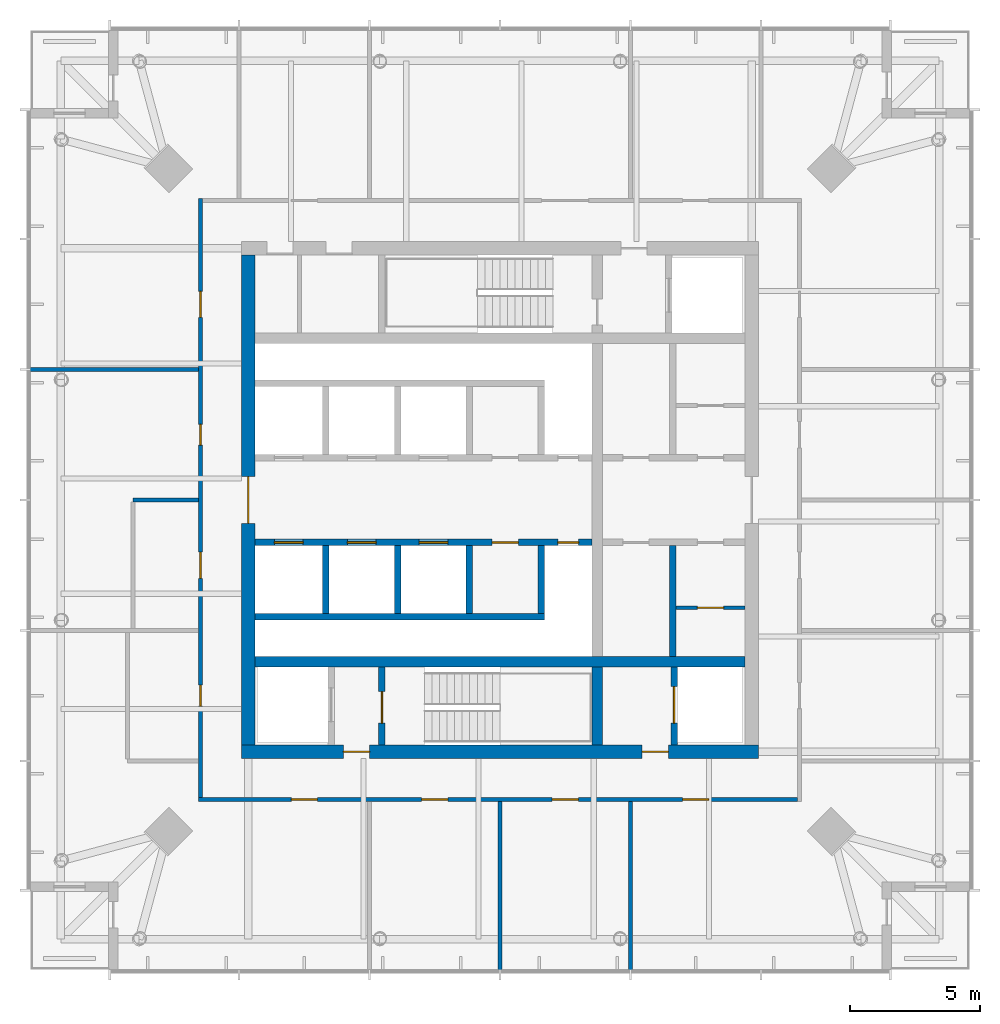
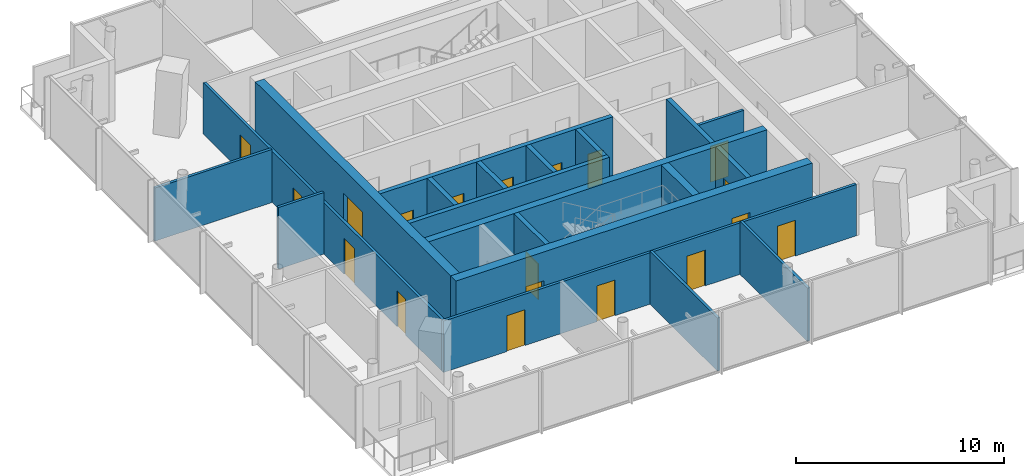
# One storey, part 4 of 7: 20 walls, 19 doors, 19 openings.
"""IFC4 building model written with IfcOpenShell, lengths in metres."""

from ifc_helpers import new_model, si_unit, direction, frame, frame_2d, origin, place, context, subcontext, project, spatial, rectangle, extrude, material, layer, layer_set, type_object, element, fill, save


model = new_model("IFC4")

# Units and contexts
model_context = context("Model", 3, precision=1e-05, world=origin(), true_north=direction((0.0, 1.0)))
body_context = subcontext(model_context, "Body", "Model", "MODEL_VIEW")
ifc_project = project(units=[si_unit("LENGTHUNIT", "METRE"), si_unit("AREAUNIT", "SQUARE_METRE"), si_unit("VOLUMEUNIT", "CUBIC_METRE"), si_unit("PLANEANGLEUNIT", "RADIAN"), si_unit("MASSUNIT", "GRAM", prefix="KILO")], contexts=[model_context])

# Site, building, storey
site_placement = place(None, origin())
site = spatial("IfcSite", under=ifc_project, at=site_placement, CompositionType="ELEMENT")
building_placement = place(site_placement, origin())
building = spatial("IfcBuilding", under=site, at=building_placement, Name="Ostroluk Exchange", CompositionType="ELEMENT")
storey_placement = place(building_placement, frame((0.0, 0.0, 245.199951171875)))
storey = spatial("IfcBuildingStorey", under=building, at=storey_placement, Name="L63", CompositionType="ELEMENT", Elevation=245.199951171875)

# Wall, opening, door
ifc_material_1 = material(Name="Concrete blockwork", Category="masonry")
ifc_layer_1 = layer(ifc_material_1, 0.14990234375)
ifc_layer_set_1 = layer_set([ifc_layer_1], Name="Blockwork plant room wall 150")
wall_type_1 = type_object("IfcWallType", Name="Blockwork plant room wall 150", PredefinedType="SOLIDWALL", material=ifc_layer_set_1)
wall_1_placement = place(storey_placement, frame((51.739990234375, 41.8701171875, 0.0), z_axis=(0.0, 0.0, 1.0), x_axis=(1.0, 0.0, 0.0)))
wall_1 = element("IfcWall", 1, at=wall_1_placement, inside=storey, type_object=wall_type_1, Name="Core room wall", PredefinedType="SOLIDWALL", context=body_context, shape_type="SweptSolid", body=[
    extrude(rectangle(XDim=2.659912109375, YDim=0.14990234375, at=frame_2d((1.330078125, 0.0))), origin(), (0.0, 0.0, 1.0), 3.6201171875),
])
opening_1_placement = place(wall_1_placement, frame((0.830078125, 0.0, 0.0)))
opening_1 = element("IfcOpeningElement", 2, at=opening_1_placement, cuts=wall_1, Name="Opening FD60", PredefinedType="OPENING", context=body_context, shape_type="SweptSolid", body=[
    extrude(rectangle(XDim=1.0, YDim=2.10009765625, at=frame_2d((0.5, 1.050048828125))), frame((0.0, 0.0849609375, 0.0), z_axis=(0.0, -1.0, 0.0), x_axis=(1.0, 0.0, 0.0)), (0.0, 0.0, 1.0), 0.169921875),
])
ifc_material_2 = material(Name="Steel", Category="steel")
door_type_1 = type_object("IfcDoorType", Name="Fire door EI 60 1000 x 2100", OperationType="SINGLE_SWING_LEFT", PredefinedType="DOOR", material=ifc_material_2)
door_1_placement = place(opening_1_placement, origin())
door_1 = element("IfcDoor", 3, at=door_1_placement, inside=storey, type_object=door_type_1, Name="Equipment store door", OperationType="SINGLE_SWING_RIGHT", OverallHeight=2.10009765625, OverallWidth=1.0, PredefinedType="DOOR", context=body_context, shape_type="SweptSolid", body=[
    extrude(rectangle(XDim=1.0, YDim=2.10009765625, at=frame_2d((0.5, 1.050048828125))), frame((0.0, 0.02490234375, 0.0), z_axis=(0.0, -1.0, 0.0), x_axis=(1.0, 0.0, 0.0)), (0.0, 0.0, 1.0), 0.050048828125),
])
fill(opening_1, door_1)

# Walls
ifc_material_3 = material(Name="Concrete C50/60", Category="concrete")
ifc_layer_2 = layer(ifc_material_3, 0.39990234375)
ifc_layer_set_2 = layer_set([ifc_layer_2], Name="Core cross wall 400 C50/60")
wall_type_2 = type_object("IfcWallType", Name="Core cross wall 400 C50/60", PredefinedType="SHEAR", material=ifc_layer_set_2)
wall_2_placement = place(storey_placement, frame((35.60009765625, 39.800048828125, 0.0), z_axis=(0.0, 0.0, 1.0), x_axis=(1.0, 0.0, 0.0)))
element("IfcWall", 4, at=wall_2_placement, inside=storey, type_object=wall_type_2, Name="T1 core wall XS", PredefinedType="SHEAR", context=body_context, shape_type="SweptSolid", body=[
    extrude(rectangle(XDim=18.7998046875, YDim=0.39990234375, at=frame_2d((9.39990234375, 0.0))), origin(), (0.0, 0.0, 1.0), 3.800048828125),
])
wall_3_placement = place(storey_placement, frame((48.72998046875, 36.60009765625, 0.0), z_axis=(0.0, 0.0, 1.0), x_axis=(0.0, 1.0, 0.0)))
element("IfcWall", 5, at=wall_3_placement, inside=storey, type_object=wall_type_2, Name="T1 core wall YE1", PredefinedType="SHEAR", context=body_context, shape_type="SweptSolid", body=[
    extrude(rectangle(XDim=3.0, YDim=0.39990234375, at=frame_2d((1.5, 0.0))), origin(), (0.0, 0.0, 1.0), 3.800048828125),
])

# Wall, opening, door
ifc_material_4 = material(Name="Concrete C40/50", Category="concrete")
ifc_layer_3 = layer(ifc_material_4, 0.25)
ifc_layer_set_3 = layer_set([ifc_layer_3], Name="Core shaft wall 250")
wall_type_3 = type_object("IfcWallType", Name="Core shaft wall 250", PredefinedType="SHEAR", material=ifc_layer_set_3)
wall_4_placement = place(storey_placement, frame((40.47509765625, 36.60009765625, 0.0), z_axis=(0.0, 0.0, 1.0), x_axis=(0.0, 1.0, 0.0)))
wall_4 = element("IfcWall", 6, at=wall_4_placement, inside=storey, type_object=wall_type_3, Name="Stair shaft wall", PredefinedType="SHEAR", context=body_context, shape_type="SweptSolid", body=[
    extrude(rectangle(XDim=3.0, YDim=0.25, at=frame_2d((1.5, 0.0))), origin(), (0.0, 0.0, 1.0), 3.800048828125),
])
opening_2_placement = place(wall_4_placement, frame((0.85009765625, 0.0, 0.0)))
opening_2 = element("IfcOpeningElement", 7, at=opening_2_placement, cuts=wall_4, Name="Opening FD60S", PredefinedType="OPENING", context=body_context, shape_type="SweptSolid", body=[
    extrude(rectangle(XDim=1.199951171875, YDim=2.10009765625, at=frame_2d((0.60009765625, 1.050048828125))), frame((0.0, 0.135009765625, 0.0), z_axis=(0.0, -1.0, 0.0), x_axis=(1.0, 0.0, 0.0)), (0.0, 0.0, 1.0), 0.27001953125),
])
ifc_material_5 = material(Name="Steel", Category="steel")
door_type_2 = type_object("IfcDoorType", Name="Stair door EI 60 1200 x 2100", OperationType="SINGLE_SWING_LEFT", PredefinedType="DOOR", material=ifc_material_5)
door_2_placement = place(opening_2_placement, origin())
door_2 = element("IfcDoor", 8, at=door_2_placement, inside=storey, type_object=door_type_2, Name="Stair T1-S1 door", OperationType="SINGLE_SWING_LEFT", OverallHeight=2.10009765625, OverallWidth=1.199951171875, PredefinedType="DOOR", context=body_context, shape_type="SweptSolid", body=[
    extrude(rectangle(XDim=1.199951171875, YDim=2.10009765625, at=frame_2d((0.60009765625, 1.050048828125))), frame((0.0, 0.02490234375, 0.0), z_axis=(0.0, -1.0, 0.0), x_axis=(1.0, 0.0, 0.0)), (0.0, 0.0, 1.0), 0.050048828125),
])
fill(opening_2, door_2)

wall_5_placement = place(storey_placement, frame((51.675048828125, 36.60009765625, 0.0), z_axis=(0.0, 0.0, 1.0), x_axis=(0.0, 1.0, 0.0)))
wall_5 = element("IfcWall", 9, at=wall_5_placement, inside=storey, type_object=wall_type_3, Name="Service lift shaft wall", PredefinedType="SHEAR", context=body_context, shape_type="SweptSolid", body=[
    extrude(rectangle(XDim=3.0, YDim=0.25, at=frame_2d((1.5, 0.0))), origin(), (0.0, 0.0, 1.0), 3.800048828125),
])
opening_3_placement = place(wall_5_placement, frame((0.85009765625, 0.0, 0.0)))
opening_3 = element("IfcOpeningElement", 10, at=opening_3_placement, cuts=wall_5, Name="Opening LD3", PredefinedType="OPENING", context=body_context, shape_type="SweptSolid", body=[
    extrude(rectangle(XDim=1.39990234375, YDim=2.39990234375, at=frame_2d((0.699951171875, 1.199951171875))), frame((0.0, 0.135009765625, 0.0), z_axis=(0.0, -1.0, 0.0), x_axis=(1.0, 0.0, 0.0)), (0.0, 0.0, 1.0), 0.27001953125),
])
ifc_material_6 = material(Name="Stainless steel", Category="steel")
door_type_3 = type_object("IfcDoorType", Name="Goods lift landing door E 60 1400 x 2400", OperationType="DOUBLE_DOOR_SLIDING", PredefinedType="DOOR", material=ifc_material_6)
door_3_placement = place(opening_3_placement, origin())
door_3 = element("IfcDoor", 11, at=door_3_placement, inside=storey, type_object=door_type_3, Name="Lift SL1 landing door", OperationType="DOUBLE_DOOR_SLIDING", OverallHeight=2.39990234375, OverallWidth=1.39990234375, PredefinedType="DOOR", context=body_context, shape_type="SweptSolid", body=[
    extrude(rectangle(XDim=1.39990234375, YDim=2.39990234375, at=frame_2d((0.699951171875, 1.199951171875))), frame((0.0, 0.02490234375, 0.0), z_axis=(0.0, -1.0, 0.0), x_axis=(1.0, 0.0, 0.0)), (0.0, 0.0, 1.0), 0.050048828125),
])
fill(opening_3, door_3)

# Walls
for number, where, z_axis, x_axis, name in (
    (12, (38.324951171875, 44.25, 0.0), (0.0, 0.0, 1.0), (0.0, -1.0, 0.0), "Lift shaft wall"),
    (13, (41.074951171875, 44.25, 0.0), (0.0, 0.0, 1.0), (0.0, -1.0, 0.0), "Lift shaft wall"),
    (14, (43.824951171875, 44.25, 0.0), (0.0, 0.0, 1.0), (0.0, -1.0, 0.0), "Lift shaft wall"),
    (15, (46.574951171875, 44.25, 0.0), (0.0, 0.0, 1.0), (0.0, -1.0, 0.0), "Lift shaft wall"),
):
    element("IfcWall", number, at=place(storey_placement, frame(where, z_axis=z_axis, x_axis=x_axis)), inside=storey, type_object=wall_type_3, Name=name, PredefinedType="SHEAR", context=body_context, shape_type="SweptSolid", body=[
        extrude(rectangle(XDim=2.60009765625, YDim=0.25, at=frame_2d((1.300048828125, 0.0))), origin(), (0.0, 0.0, 1.0), 3.800048828125),
    ])
wall_6_placement = place(storey_placement, frame((35.60009765625, 41.52490234375, 0.0), z_axis=(0.0, 0.0, 1.0), x_axis=(1.0, 0.0, 0.0)))
element("IfcWall", 16, at=wall_6_placement, inside=storey, type_object=wall_type_3, Name="Lift shaft wall", PredefinedType="SHEAR", context=body_context, shape_type="SweptSolid", body=[
    extrude(rectangle(XDim=11.099853515625, YDim=0.25, at=frame_2d((5.5498046875, 0.0))), origin(), (0.0, 0.0, 1.0), 3.800048828125),
])

# Wall, openings, doors
wall_7_placement = place(storey_placement, frame((35.60009765625, 44.375, 0.0), z_axis=(0.0, 0.0, 1.0), x_axis=(1.0, 0.0, 0.0)))
wall_7 = element("IfcWall", 17, at=wall_7_placement, inside=storey, type_object=wall_type_3, Name="Lift shaft front wall", PredefinedType="SHEAR", context=body_context, shape_type="SweptSolid", body=[
    extrude(rectangle(XDim=12.929931640625, YDim=0.25, at=frame_2d((6.46484375, 0.0))), origin(), (0.0, 0.0, 1.0), 3.800048828125),
])
opening_4_placement = place(wall_7_placement, frame((0.75, 0.0, 0.0)))
opening_4 = element("IfcOpeningElement", 18, at=opening_4_placement, cuts=wall_7, Name="Opening LD", PredefinedType="OPENING", context=body_context, shape_type="SweptSolid", body=[
    extrude(rectangle(XDim=1.10009765625, YDim=2.199951171875, at=frame_2d((0.550048828125, 1.10009765625))), frame((0.0, 0.135009765625, 0.0), z_axis=(0.0, -1.0, 0.0), x_axis=(1.0, 0.0, 0.0)), (0.0, 0.0, 1.0), 0.27001953125),
])
opening_5_placement = place(wall_7_placement, frame((3.550048828125, 0.0, 0.0)))
opening_5 = element("IfcOpeningElement", 19, at=opening_5_placement, cuts=wall_7, Name="Opening LD", PredefinedType="OPENING", context=body_context, shape_type="SweptSolid", body=[
    extrude(rectangle(XDim=1.10009765625, YDim=2.199951171875, at=frame_2d((0.550048828125, 1.10009765625))), frame((0.0, 0.135009765625, 0.0), z_axis=(0.0, -1.0, 0.0), x_axis=(1.0, 0.0, 0.0)), (0.0, 0.0, 1.0), 0.27001953125),
])
opening_6_placement = place(wall_7_placement, frame((6.300048828125, 0.0, 0.0)))
opening_6 = element("IfcOpeningElement", 20, at=opening_6_placement, cuts=wall_7, Name="Opening LD", PredefinedType="OPENING", context=body_context, shape_type="SweptSolid", body=[
    extrude(rectangle(XDim=1.10009765625, YDim=2.199951171875, at=frame_2d((0.550048828125, 1.10009765625))), frame((0.0, 0.135009765625, 0.0), z_axis=(0.0, -1.0, 0.0), x_axis=(1.0, 0.0, 0.0)), (0.0, 0.0, 1.0), 0.27001953125),
])
opening_7_placement = place(wall_7_placement, frame((9.10009765625, 0.0, 0.0)))
opening_7 = element("IfcOpeningElement", 21, at=opening_7_placement, cuts=wall_7, Name="Opening FD60", PredefinedType="OPENING", context=body_context, shape_type="SweptSolid", body=[
    extrude(rectangle(XDim=1.0, YDim=2.10009765625, at=frame_2d((0.5, 1.050048828125))), frame((0.0, 0.135009765625, 0.0), z_axis=(0.0, -1.0, 0.0), x_axis=(1.0, 0.0, 0.0)), (0.0, 0.0, 1.0), 0.27001953125),
])
opening_8_placement = place(wall_7_placement, frame((11.614990234375, 0.0, 0.0)))
opening_8 = element("IfcOpeningElement", 22, at=opening_8_placement, cuts=wall_7, Name="Opening RD60", PredefinedType="OPENING", context=body_context, shape_type="SweptSolid", body=[
    extrude(rectangle(XDim=0.800048828125, YDim=2.0, at=frame_2d((0.39990234375, 1.0))), frame((0.0, 0.135009765625, 0.0), z_axis=(0.0, -1.0, 0.0), x_axis=(1.0, 0.0, 0.0)), (0.0, 0.0, 1.0), 0.27001953125),
])
door_4_placement = place(opening_7_placement, origin())
door_4 = element("IfcDoor", 23, at=door_4_placement, inside=storey, type_object=door_type_1, Name="Core room door", OperationType="SINGLE_SWING_RIGHT", OverallHeight=2.10009765625, OverallWidth=1.0, PredefinedType="DOOR", context=body_context, shape_type="SweptSolid", body=[
    extrude(rectangle(XDim=1.0, YDim=2.10009765625, at=frame_2d((0.5, 1.050048828125))), frame((0.0, 0.02490234375, 0.0), z_axis=(0.0, -1.0, 0.0), x_axis=(1.0, 0.0, 0.0)), (0.0, 0.0, 1.0), 0.050048828125),
])
fill(opening_7, door_4)
ifc_material_7 = material(Name="Stainless steel", Category="steel")
door_type_4 = type_object("IfcDoorType", Name="Lift landing door E 60 1100 x 2200", OperationType="DOUBLE_DOOR_SLIDING", PredefinedType="DOOR", material=ifc_material_7)
door_5_placement = place(opening_4_placement, origin())
door_5 = element("IfcDoor", 24, at=door_5_placement, inside=storey, type_object=door_type_4, Name="Lift PL-T4 landing door", OperationType="DOUBLE_DOOR_SLIDING", OverallHeight=2.199951171875, OverallWidth=1.10009765625, PredefinedType="DOOR", context=body_context, shape_type="SweptSolid", body=[
    extrude(rectangle(XDim=1.10009765625, YDim=2.199951171875, at=frame_2d((0.550048828125, 1.10009765625))), frame((0.0, 0.02490234375, 0.0), z_axis=(0.0, -1.0, 0.0), x_axis=(1.0, 0.0, 0.0)), (0.0, 0.0, 1.0), 0.050048828125),
])
fill(opening_4, door_5)
door_6_placement = place(opening_5_placement, origin())
door_6 = element("IfcDoor", 25, at=door_6_placement, inside=storey, type_object=door_type_4, Name="Lift PL-T5 landing door", OperationType="DOUBLE_DOOR_SLIDING", OverallHeight=2.199951171875, OverallWidth=1.10009765625, PredefinedType="DOOR", context=body_context, shape_type="SweptSolid", body=[
    extrude(rectangle(XDim=1.10009765625, YDim=2.199951171875, at=frame_2d((0.550048828125, 1.10009765625))), frame((0.0, 0.02490234375, 0.0), z_axis=(0.0, -1.0, 0.0), x_axis=(1.0, 0.0, 0.0)), (0.0, 0.0, 1.0), 0.050048828125),
])
fill(opening_5, door_6)
door_7_placement = place(opening_6_placement, origin())
door_7 = element("IfcDoor", 26, at=door_7_placement, inside=storey, type_object=door_type_4, Name="Lift PL-T6 landing door", OperationType="DOUBLE_DOOR_SLIDING", OverallHeight=2.199951171875, OverallWidth=1.10009765625, PredefinedType="DOOR", context=body_context, shape_type="SweptSolid", body=[
    extrude(rectangle(XDim=1.10009765625, YDim=2.199951171875, at=frame_2d((0.550048828125, 1.10009765625))), frame((0.0, 0.02490234375, 0.0), z_axis=(0.0, -1.0, 0.0), x_axis=(1.0, 0.0, 0.0)), (0.0, 0.0, 1.0), 0.050048828125),
])
fill(opening_6, door_7)
ifc_material_8 = material(Name="Steel", Category="steel")
door_type_5 = type_object("IfcDoorType", Name="Riser access door EI 60 800 x 2000", OperationType="SINGLE_SWING_LEFT", PredefinedType="DOOR", material=ifc_material_8)
door_8_placement = place(opening_8_placement, origin())
door_8 = element("IfcDoor", 27, at=door_8_placement, inside=storey, type_object=door_type_5, Name="Riser access door", OperationType="SINGLE_SWING_RIGHT", OverallHeight=2.0, OverallWidth=0.800048828125, PredefinedType="DOOR", context=body_context, shape_type="SweptSolid", body=[
    extrude(rectangle(XDim=0.800048828125, YDim=2.0, at=frame_2d((0.39990234375, 1.0))), frame((0.0, 0.02490234375, 0.0), z_axis=(0.0, -1.0, 0.0), x_axis=(1.0, 0.0, 0.0)), (0.0, 0.0, 1.0), 0.050048828125),
])
fill(opening_8, door_8)

# Wall
wall_8_placement = place(storey_placement, frame((51.614990234375, 44.25, 0.0), z_axis=(0.0, 0.0, 1.0), x_axis=(0.0, -1.0, 0.0)))
element("IfcWall", 28, at=wall_8_placement, inside=storey, type_object=wall_type_3, Name="Lift shaft wall", PredefinedType="SHEAR", context=body_context, shape_type="SweptSolid", body=[
    extrude(rectangle(XDim=4.25, YDim=0.25, at=frame_2d((2.125, 0.0))), origin(), (0.0, 0.0, 1.0), 3.800048828125),
])

# Wall, openings, doors
ifc_material_9 = material(Name="Concrete C50/60", Category="concrete")
ifc_layer_4 = layer(ifc_material_9, 0.5)
ifc_layer_set_4 = layer_set([ifc_layer_4], Name="Core wall 500 C50/60")
wall_type_4 = type_object("IfcWallType", Name="Core wall 500 C50/60", PredefinedType="SHEAR", material=ifc_layer_set_4)
wall_9_placement = place(storey_placement, frame((35.10009765625, 36.35009765625, 0.0), z_axis=(0.0, 0.0, 1.0), x_axis=(1.0, 0.0, 0.0)))
wall_9 = element("IfcWall", 29, at=wall_9_placement, inside=storey, type_object=wall_type_4, Name="T1 core wall S", PredefinedType="SHEAR", context=body_context, shape_type="SweptSolid", body=[
    extrude(rectangle(XDim=19.7998046875, YDim=0.5, at=frame_2d((9.89990234375, 0.0))), origin(), (0.0, 0.0, 1.0), 3.800048828125),
])
opening_9_placement = place(wall_9_placement, frame((3.89990234375, 0.0, 0.0)))
opening_9 = element("IfcOpeningElement", 30, at=opening_9_placement, cuts=wall_9, Name="Opening FD60", PredefinedType="OPENING", context=body_context, shape_type="SweptSolid", body=[
    extrude(rectangle(XDim=1.0, YDim=2.10009765625, at=frame_2d((0.5, 1.050048828125))), frame((0.0, 0.260009765625, 0.0), z_axis=(0.0, -1.0, 0.0), x_axis=(1.0, 0.0, 0.0)), (0.0, 0.0, 1.0), 0.52001953125),
])
opening_10_placement = place(wall_9_placement, frame((15.35009765625, 0.0, 0.0)))
opening_10 = element("IfcOpeningElement", 31, at=opening_10_placement, cuts=wall_9, Name="Opening FD60", PredefinedType="OPENING", context=body_context, shape_type="SweptSolid", body=[
    extrude(rectangle(XDim=1.0, YDim=2.10009765625, at=frame_2d((0.5, 1.050048828125))), frame((0.0, 0.260009765625, 0.0), z_axis=(0.0, -1.0, 0.0), x_axis=(1.0, 0.0, 0.0)), (0.0, 0.0, 1.0), 0.52001953125),
])
door_9_placement = place(opening_9_placement, origin())
door_9 = element("IfcDoor", 32, at=door_9_placement, inside=storey, type_object=door_type_1, Name="Firefighting lobby door", OperationType="SINGLE_SWING_LEFT", OverallHeight=2.10009765625, OverallWidth=1.0, PredefinedType="DOOR", context=body_context, shape_type="SweptSolid", body=[
    extrude(rectangle(XDim=1.0, YDim=2.10009765625, at=frame_2d((0.5, 1.050048828125))), frame((0.0, 0.02490234375, 0.0), z_axis=(0.0, -1.0, 0.0), x_axis=(1.0, 0.0, 0.0)), (0.0, 0.0, 1.0), 0.050048828125),
])
fill(opening_9, door_9)
door_10_placement = place(opening_10_placement, origin())
door_10 = element("IfcDoor", 33, at=door_10_placement, inside=storey, type_object=door_type_1, Name="Service lobby door", OperationType="SINGLE_SWING_RIGHT", OverallHeight=2.10009765625, OverallWidth=1.0, PredefinedType="DOOR", context=body_context, shape_type="SweptSolid", body=[
    extrude(rectangle(XDim=1.0, YDim=2.10009765625, at=frame_2d((0.5, 1.050048828125))), frame((0.0, 0.02490234375, 0.0), z_axis=(0.0, -1.0, 0.0), x_axis=(1.0, 0.0, 0.0)), (0.0, 0.0, 1.0), 0.050048828125),
])
fill(opening_10, door_10)

# Wall, opening, door
wall_10_placement = place(storey_placement, frame((35.35009765625, 36.60009765625, 0.0), z_axis=(0.0, 0.0, 1.0), x_axis=(0.0, 1.0, 0.0)))
wall_10 = element("IfcWall", 34, at=wall_10_placement, inside=storey, type_object=wall_type_4, Name="T1 core wall W", PredefinedType="SHEAR", context=body_context, shape_type="SweptSolid", body=[
    extrude(rectangle(XDim=18.7998046875, YDim=0.5, at=frame_2d((9.39990234375, 0.0))), origin(), (0.0, 0.0, 1.0), 3.800048828125),
])
opening_11_placement = place(wall_10_placement, frame((8.5, 0.0, 0.0)))
opening_11 = element("IfcOpeningElement", 35, at=opening_11_placement, cuts=wall_10, Name="Opening FD30D", PredefinedType="OPENING", context=body_context, shape_type="SweptSolid", body=[
    extrude(rectangle(XDim=1.800048828125, YDim=2.39990234375, at=frame_2d((0.89990234375, 1.199951171875))), frame((0.0, 0.260009765625, 0.0), z_axis=(0.0, -1.0, 0.0), x_axis=(1.0, 0.0, 0.0)), (0.0, 0.0, 1.0), 0.52001953125),
])
ifc_material_10 = material(Name="Timber", Category="wood")
door_type_6 = type_object("IfcDoorType", Name="Lobby double door EI 30 1800 x 2400", OperationType="DOUBLE_DOOR_SINGLE_SWING", PredefinedType="DOOR", material=ifc_material_10)
door_11_placement = place(opening_11_placement, origin())
door_11 = element("IfcDoor", 36, at=door_11_placement, inside=storey, type_object=door_type_6, Name="Lift lobby doors", OperationType="DOUBLE_DOOR_SINGLE_SWING", OverallHeight=2.39990234375, OverallWidth=1.800048828125, PredefinedType="DOOR", context=body_context, shape_type="SweptSolid", body=[
    extrude(rectangle(XDim=1.800048828125, YDim=2.39990234375, at=frame_2d((0.89990234375, 1.199951171875))), frame((0.0, 0.02490234375, 0.0), z_axis=(0.0, -1.0, 0.0), x_axis=(1.0, 0.0, 0.0)), (0.0, 0.0, 1.0), 0.050048828125),
])
fill(opening_11, door_11)

# Wall, openings, doors
ifc_material_11 = material(Name="Gypsum plasterboard partition", Category="gypsum")
ifc_layer_5 = layer(ifc_material_11, 0.14990234375)
ifc_layer_set_5 = layer_set([ifc_layer_5], Name="Plasterboard partition 150")
wall_type_5 = type_object("IfcWallType", Name="Plasterboard partition 150", PredefinedType="PARTITIONING", material=ifc_layer_set_5)
wall_11_placement = place(storey_placement, frame((33.52490234375, 57.550048828125, 0.0), z_axis=(0.0, 0.0, 1.0), x_axis=(0.0, -1.0, 0.0)))
wall_11 = element("IfcWall", 37, at=wall_11_placement, inside=storey, type_object=wall_type_5, Name="Partition", PredefinedType="PARTITIONING", context=body_context, shape_type="SweptSolid", body=[
    extrude(rectangle(XDim=22.949951171875, YDim=0.14990234375, at=frame_2d((11.47509765625, 0.0))), origin(), (0.0, 0.0, 1.0), 3.02001953125),
])
opening_12_placement = place(wall_11_placement, frame((3.550048828125, 0.0, 0.0)))
opening_12 = element("IfcOpeningElement", 38, at=opening_12_placement, cuts=wall_11, Name="Opening D-03", PredefinedType="OPENING", context=body_context, shape_type="SweptSolid", body=[
    extrude(rectangle(XDim=1.0, YDim=2.10009765625, at=frame_2d((0.5, 1.050048828125))), frame((0.0, 0.0849609375, 0.0), z_axis=(0.0, -1.0, 0.0), x_axis=(1.0, 0.0, 0.0)), (0.0, 0.0, 1.0), 0.169921875),
])
opening_13_placement = place(wall_11_placement, frame((8.64990234375, 0.0, 0.0)))
opening_13 = element("IfcOpeningElement", 39, at=opening_13_placement, cuts=wall_11, Name="Opening D-06", PredefinedType="OPENING", context=body_context, shape_type="SweptSolid", body=[
    extrude(rectangle(XDim=0.800048828125, YDim=2.10009765625, at=frame_2d((0.39990234375, 1.050048828125))), frame((0.0, 0.0849609375, 0.0), z_axis=(0.0, -1.0, 0.0), x_axis=(1.0, 0.0, 0.0)), (0.0, 0.0, 1.0), 0.169921875),
])
opening_14_placement = place(wall_11_placement, frame((13.550048828125, 0.0, 0.0)))
opening_14 = element("IfcOpeningElement", 40, at=opening_14_placement, cuts=wall_11, Name="Opening D-03", PredefinedType="OPENING", context=body_context, shape_type="SweptSolid", body=[
    extrude(rectangle(XDim=1.0, YDim=2.10009765625, at=frame_2d((0.5, 1.050048828125))), frame((0.0, 0.0849609375, 0.0), z_axis=(0.0, -1.0, 0.0), x_axis=(1.0, 0.0, 0.0)), (0.0, 0.0, 1.0), 0.169921875),
])
opening_15_placement = place(wall_11_placement, frame((18.64990234375, 0.0, 0.0)))
opening_15 = element("IfcOpeningElement", 41, at=opening_15_placement, cuts=wall_11, Name="Opening D-06", PredefinedType="OPENING", context=body_context, shape_type="SweptSolid", body=[
    extrude(rectangle(XDim=0.800048828125, YDim=2.10009765625, at=frame_2d((0.39990234375, 1.050048828125))), frame((0.0, 0.0849609375, 0.0), z_axis=(0.0, -1.0, 0.0), x_axis=(1.0, 0.0, 0.0)), (0.0, 0.0, 1.0), 0.169921875),
])
ifc_material_12 = material(Name="Timber", Category="wood")
door_type_7 = type_object("IfcDoorType", Name="Internal door 1000 x 2100", OperationType="SINGLE_SWING_LEFT", PredefinedType="DOOR", material=ifc_material_12)
door_12_placement = place(opening_12_placement, origin())
door_12 = element("IfcDoor", 42, at=door_12_placement, inside=storey, type_object=door_type_7, Name="Corner office door", OperationType="SINGLE_SWING_LEFT", OverallHeight=2.10009765625, OverallWidth=1.0, PredefinedType="DOOR", context=body_context, shape_type="SweptSolid", body=[
    extrude(rectangle(XDim=1.0, YDim=2.10009765625, at=frame_2d((0.5, 1.050048828125))), frame((0.0, 0.02490234375, 0.0), z_axis=(0.0, -1.0, 0.0), x_axis=(1.0, 0.0, 0.0)), (0.0, 0.0, 1.0), 0.050048828125),
])
fill(opening_12, door_12)
door_13_placement = place(opening_14_placement, origin())
door_13 = element("IfcDoor", 43, at=door_13_placement, inside=storey, type_object=door_type_7, Name="Accessible WC door", OperationType="SINGLE_SWING_RIGHT", OverallHeight=2.10009765625, OverallWidth=1.0, PredefinedType="DOOR", context=body_context, shape_type="SweptSolid", body=[
    extrude(rectangle(XDim=1.0, YDim=2.10009765625, at=frame_2d((0.5, 1.050048828125))), frame((0.0, 0.02490234375, 0.0), z_axis=(0.0, -1.0, 0.0), x_axis=(1.0, 0.0, 0.0)), (0.0, 0.0, 1.0), 0.050048828125),
])
fill(opening_14, door_13)
ifc_material_13 = material(Name="Timber", Category="wood")
door_type_8 = type_object("IfcDoorType", Name="Toilet door 800 x 2100", OperationType="SINGLE_SWING_LEFT", PredefinedType="DOOR", material=ifc_material_13)
door_14_placement = place(opening_13_placement, origin())
door_14 = element("IfcDoor", 44, at=door_14_placement, inside=storey, type_object=door_type_8, Name="WC female door", OperationType="SINGLE_SWING_LEFT", OverallHeight=2.10009765625, OverallWidth=0.800048828125, PredefinedType="DOOR", context=body_context, shape_type="SweptSolid", body=[
    extrude(rectangle(XDim=0.800048828125, YDim=2.10009765625, at=frame_2d((0.39990234375, 1.050048828125))), frame((0.0, 0.02490234375, 0.0), z_axis=(0.0, -1.0, 0.0), x_axis=(1.0, 0.0, 0.0)), (0.0, 0.0, 1.0), 0.050048828125),
])
fill(opening_13, door_14)
door_15_placement = place(opening_15_placement, origin())
door_15 = element("IfcDoor", 45, at=door_15_placement, inside=storey, type_object=door_type_8, Name="WC male door", OperationType="SINGLE_SWING_RIGHT", OverallHeight=2.10009765625, OverallWidth=0.800048828125, PredefinedType="DOOR", context=body_context, shape_type="SweptSolid", body=[
    extrude(rectangle(XDim=0.800048828125, YDim=2.10009765625, at=frame_2d((0.39990234375, 1.050048828125))), frame((0.0, 0.02490234375, 0.0), z_axis=(0.0, -1.0, 0.0), x_axis=(1.0, 0.0, 0.0)), (0.0, 0.0, 1.0), 0.050048828125),
])
fill(opening_15, door_15)

# Walls
wall_12_placement = place(storey_placement, frame((33.449951171875, 51.0, 0.0), z_axis=(0.0, 0.0, 1.0), x_axis=(-1.0, 0.0, 0.0)))
element("IfcWall", 46, at=wall_12_placement, inside=storey, type_object=wall_type_5, Name="Partition", PredefinedType="PARTITIONING", context=body_context, shape_type="SweptSolid", body=[
    extrude(rectangle(XDim=6.489990234375, YDim=0.14990234375, at=frame_2d((3.2451171875, 0.0))), origin(), (0.0, 0.0, 1.0), 3.1201171875),
])
wall_13_placement = place(storey_placement, frame((33.449951171875, 46.0, 0.0), z_axis=(0.0, 0.0, 1.0), x_axis=(-1.0, 0.0, 0.0)))
element("IfcWall", 47, at=wall_13_placement, inside=storey, type_object=wall_type_5, Name="Partition", PredefinedType="PARTITIONING", context=body_context, shape_type="SweptSolid", body=[
    extrude(rectangle(XDim=2.52490234375, YDim=0.14990234375, at=frame_2d((1.262451171875, 0.0))), origin(), (0.0, 0.0, 1.0), 3.6201171875),
])

# Wall, openings, doors
wall_14_placement = place(storey_placement, frame((33.449951171875, 34.52490234375, 0.0), z_axis=(0.0, 0.0, 1.0), x_axis=(1.0, 0.0, 0.0)))
wall_14 = element("IfcWall", 48, at=wall_14_placement, inside=storey, type_object=wall_type_5, Name="Partition", PredefinedType="PARTITIONING", context=body_context, shape_type="SweptSolid", body=[
    extrude(rectangle(XDim=22.949951171875, YDim=0.14990234375, at=frame_2d((11.47509765625, 0.0))), origin(), (0.0, 0.0, 1.0), 3.02001953125),
])
opening_16_placement = place(wall_14_placement, frame((3.550048828125, 0.0, 0.0)))
opening_16 = element("IfcOpeningElement", 49, at=opening_16_placement, cuts=wall_14, Name="Opening D-03", PredefinedType="OPENING", context=body_context, shape_type="SweptSolid", body=[
    extrude(rectangle(XDim=1.0, YDim=2.10009765625, at=frame_2d((0.5, 1.050048828125))), frame((0.0, 0.0849609375, 0.0), z_axis=(0.0, -1.0, 0.0), x_axis=(1.0, 0.0, 0.0)), (0.0, 0.0, 1.0), 0.169921875),
])
opening_17_placement = place(wall_14_placement, frame((8.550048828125, 0.0, 0.0)))
opening_17 = element("IfcOpeningElement", 50, at=opening_17_placement, cuts=wall_14, Name="Opening D-03", PredefinedType="OPENING", context=body_context, shape_type="SweptSolid", body=[
    extrude(rectangle(XDim=1.0, YDim=2.10009765625, at=frame_2d((0.5, 1.050048828125))), frame((0.0, 0.0849609375, 0.0), z_axis=(0.0, -1.0, 0.0), x_axis=(1.0, 0.0, 0.0)), (0.0, 0.0, 1.0), 0.169921875),
])
opening_18_placement = place(wall_14_placement, frame((13.550048828125, 0.0, 0.0)))
opening_18 = element("IfcOpeningElement", 51, at=opening_18_placement, cuts=wall_14, Name="Opening D-03", PredefinedType="OPENING", context=body_context, shape_type="SweptSolid", body=[
    extrude(rectangle(XDim=1.0, YDim=2.10009765625, at=frame_2d((0.5, 1.050048828125))), frame((0.0, 0.0849609375, 0.0), z_axis=(0.0, -1.0, 0.0), x_axis=(1.0, 0.0, 0.0)), (0.0, 0.0, 1.0), 0.169921875),
])
opening_19_placement = place(wall_14_placement, frame((18.550048828125, 0.0, 0.0)))
opening_19 = element("IfcOpeningElement", 52, at=opening_19_placement, cuts=wall_14, Name="Opening D-03", PredefinedType="OPENING", context=body_context, shape_type="SweptSolid", body=[
    extrude(rectangle(XDim=1.0, YDim=2.10009765625, at=frame_2d((0.5, 1.050048828125))), frame((0.0, 0.0849609375, 0.0), z_axis=(0.0, -1.0, 0.0), x_axis=(1.0, 0.0, 0.0)), (0.0, 0.0, 1.0), 0.169921875),
])
door_16_placement = place(opening_16_placement, origin())
door_16 = element("IfcDoor", 53, at=door_16_placement, inside=storey, type_object=door_type_7, Name="Corner office door", OperationType="SINGLE_SWING_LEFT", OverallHeight=2.10009765625, OverallWidth=1.0, PredefinedType="DOOR", context=body_context, shape_type="SweptSolid", body=[
    extrude(rectangle(XDim=1.0, YDim=2.10009765625, at=frame_2d((0.5, 1.050048828125))), frame((0.0, 0.02490234375, 0.0), z_axis=(0.0, -1.0, 0.0), x_axis=(1.0, 0.0, 0.0)), (0.0, 0.0, 1.0), 0.050048828125),
])
fill(opening_16, door_16)
door_17_placement = place(opening_17_placement, origin())
door_17 = element("IfcDoor", 54, at=door_17_placement, inside=storey, type_object=door_type_7, Name="Office door", OperationType="SINGLE_SWING_LEFT", OverallHeight=2.10009765625, OverallWidth=1.0, PredefinedType="DOOR", context=body_context, shape_type="SweptSolid", body=[
    extrude(rectangle(XDim=1.0, YDim=2.10009765625, at=frame_2d((0.5, 1.050048828125))), frame((0.0, 0.02490234375, 0.0), z_axis=(0.0, -1.0, 0.0), x_axis=(1.0, 0.0, 0.0)), (0.0, 0.0, 1.0), 0.050048828125),
])
fill(opening_17, door_17)
door_18_placement = place(opening_18_placement, origin())
door_18 = element("IfcDoor", 55, at=door_18_placement, inside=storey, type_object=door_type_7, Name="Meeting room door", OperationType="SINGLE_SWING_RIGHT", OverallHeight=2.10009765625, OverallWidth=1.0, PredefinedType="DOOR", context=body_context, shape_type="SweptSolid", body=[
    extrude(rectangle(XDim=1.0, YDim=2.10009765625, at=frame_2d((0.5, 1.050048828125))), frame((0.0, 0.02490234375, 0.0), z_axis=(0.0, -1.0, 0.0), x_axis=(1.0, 0.0, 0.0)), (0.0, 0.0, 1.0), 0.050048828125),
])
fill(opening_18, door_18)
door_19_placement = place(opening_19_placement, origin())
door_19 = element("IfcDoor", 56, at=door_19_placement, inside=storey, type_object=door_type_7, Name="Office door", OperationType="SINGLE_SWING_RIGHT", OverallHeight=2.10009765625, OverallWidth=1.0, PredefinedType="DOOR", context=body_context, shape_type="SweptSolid", body=[
    extrude(rectangle(XDim=1.0, YDim=2.10009765625, at=frame_2d((0.5, 1.050048828125))), frame((0.0, 0.02490234375, 0.0), z_axis=(0.0, -1.0, 0.0), x_axis=(1.0, 0.0, 0.0)), (0.0, 0.0, 1.0), 0.050048828125),
])
fill(opening_19, door_19)

# Walls
for number, where, z_axis, x_axis, name in (
    (57, (45.0, 34.449951171875, 0.0), (0.0, 0.0, 1.0), (0.0, -1.0, 0.0), "Partition"),
    (58, (50.0, 34.449951171875, 0.0), (0.0, 0.0, 1.0), (0.0, -1.0, 0.0), "Partition"),
):
    element("IfcWall", number, at=place(storey_placement, frame(where, z_axis=z_axis, x_axis=x_axis)), inside=storey, type_object=wall_type_5, Name=name, PredefinedType="PARTITIONING", context=body_context, shape_type="SweptSolid", body=[
        extrude(rectangle(XDim=6.489990234375, YDim=0.14990234375, at=frame_2d((3.2451171875, 0.0))), origin(), (0.0, 0.0, 1.0), 3.1201171875),
    ])

save(model, "model.ifc")
